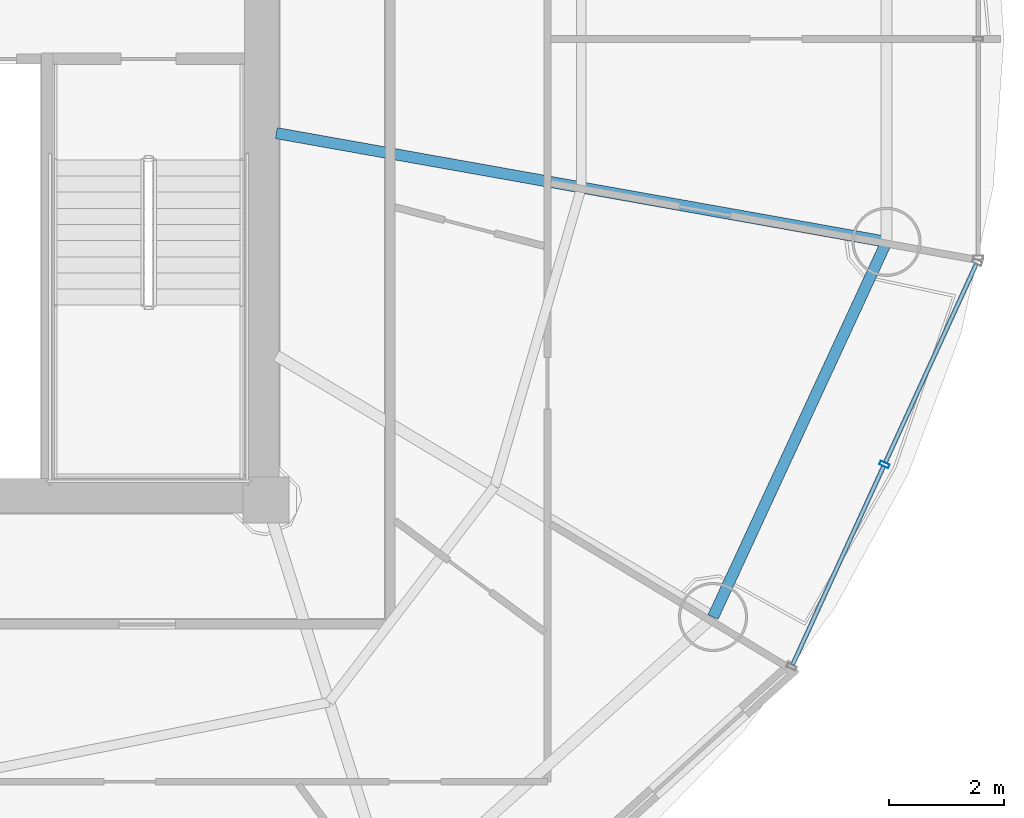
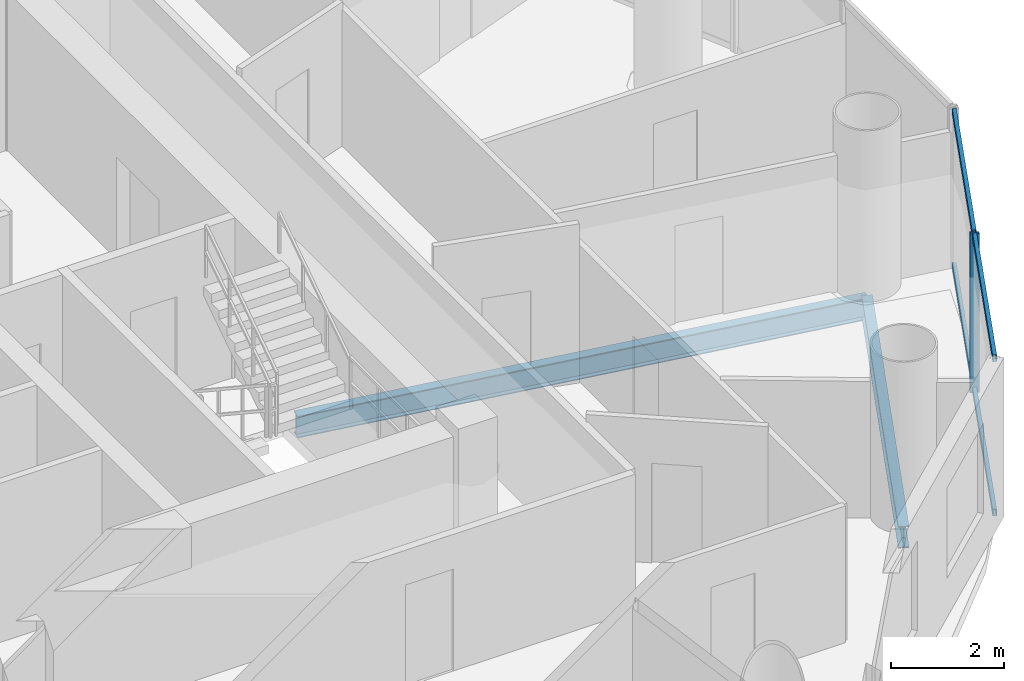
# One storey, part 12 of 26: 5 members, 2 beams, 1 element without a shape of its own.
"""IFC4 building model written with IfcOpenShell, lengths in metres."""

from ifc_helpers import new_model, si_unit, direction, frame, origin, origin_2d, place, context, subcontext, project, spatial, hollow_rectangle, i_section, extrude, source, transform, mapped, material, material_profile, profile_set, type_object, element, aggregate, save


model = new_model("IFC4")

# Units and contexts
model_context = context("Model", 3, precision=1e-05, world=origin(), true_north=direction((-0.2419218956, 0.970295726276)))
body_context = subcontext(model_context, "Body", "Model", "MODEL_VIEW")
ifc_project = project(units=[si_unit("LENGTHUNIT", "METRE"), si_unit("AREAUNIT", "SQUARE_METRE"), si_unit("VOLUMEUNIT", "CUBIC_METRE"), si_unit("PLANEANGLEUNIT", "RADIAN"), si_unit("MASSUNIT", "GRAM", prefix="KILO")], contexts=[model_context])

# Site, building, storey
site_placement = place(None, origin())
site = spatial("IfcSite", under=ifc_project, at=site_placement, CompositionType="ELEMENT")
building_placement = place(site_placement, origin())
building = spatial("IfcBuilding", under=site, at=building_placement, Name="Cobrevalo Terracotta Tower", CompositionType="ELEMENT")
storey_placement = place(building_placement, frame((0.0, 0.0, 228.199951171875)))
storey = spatial("IfcBuildingStorey", under=building, at=storey_placement, Name="L60", CompositionType="ELEMENT", Elevation=228.199951171875)

# Beams
ifc_material_1 = material(Name="Steel S355", Category="steel")
ifc_material_profile_1 = material_profile(ifc_material_1, i_section(OverallWidth=0.194091796875, OverallDepth=0.468994140625, WebThickness=0.011474609375, FlangeThickness=0.0205078125, at=origin_2d()), Name="W 460x106")
ifc_profile_set_1 = profile_set([ifc_material_profile_1], Name="Steel S355")
beam_type_1 = type_object("IfcBeamType", Name="Structural Beam W 460x106 (Steel S355)", PredefinedType="BEAM", material=ifc_profile_set_1)
beam_1_placement = place(storey_placement, frame((57.762939453125, 23.278564453125, -0.49951171875), z_axis=(-0.984493198547, 0.175422752274, 0.0), x_axis=(-0.175422752274, -0.984493198547, 0.0)))
element("IfcBeam", 1, at=beam_1_placement, inside=storey, type_object=beam_type_1, Name="L60 radial floor girder 16", PredefinedType="BEAM", context=body_context, shape_type="SweptSolid", body=[
    extrude(i_section(OverallWidth=0.194091796875, OverallDepth=0.468994140625, WebThickness=0.011474609375, FlangeThickness=0.0205078125, at=origin_2d()), origin(), (0.0, 0.0, 1.0), 10.749755859375),
])
ifc_material_profile_2 = material_profile(ifc_material_1, i_section(OverallWidth=0.194091796875, OverallDepth=0.468994140625, WebThickness=0.011474609375, FlangeThickness=0.0205078125, at=origin_2d()), Name="W 460x106")
ifc_profile_set_2 = profile_set([ifc_material_profile_2], Name="Steel S355")
beam_type_2 = type_object("IfcBeamType", Name="Structural Spandrel W 460x106 (Steel S355)", PredefinedType="SPANDREL", material=ifc_profile_set_2)
beam_2_placement = place(storey_placement, frame((54.754150390625, 16.77197265625, -0.49951171875), z_axis=(0.419718939129, 0.90765412583, 0.0), x_axis=(-0.90765412583, 0.419718939129, 0.0)))
element("IfcBeam", 2, at=beam_2_placement, inside=storey, type_object=beam_type_2, Name="L60 perimeter ring spandrel 15", PredefinedType="SPANDREL", context=body_context, shape_type="SweptSolid", body=[
    extrude(i_section(OverallWidth=0.194091796875, OverallDepth=0.468994140625, WebThickness=0.011474609375, FlangeThickness=0.0205078125, at=origin_2d()), origin(), (0.0, 0.0, 1.0), 7.168701171875),
])

# Curtain wall, members
ifc_material_2 = material(Name="Anodized aluminium", Category="aluminium")
curtain_wall_type = type_object("IfcCurtainWallType", Name="Mid-tower high-wind unitised curtain wall CW-U2", PredefinedType="NOTDEFINED", material=ifc_material_2)
curtain_wall_placement = place(storey_placement, origin())
curtain_wall = element("IfcCurtainWall", 3, at=curtain_wall_placement, inside=storey, type_object=curtain_wall_type, Name="L60 curtain wall CW-L60-S15", PredefinedType="NOTDEFINED")
ifc_material_profile_3 = material_profile(ifc_material_2, hollow_rectangle(XDim=0.074951171875, YDim=0.14990234375, WallThickness=0.00439453125, at=origin_2d()), Name="CWT 75x150")
ifc_profile_set_3 = profile_set([ifc_material_profile_3], Name="Anodized aluminium")
member_type_1 = type_object("IfcMemberType", Name="Tower unitised aluminium transom 75x150", PredefinedType="USERDEFINED", material=ifc_profile_set_3)
shared_shape_1 = source(origin(), body_context, "Body", "SweptSolid", [
    extrude(hollow_rectangle(XDim=0.074951171875, YDim=0.14990234375, WallThickness=0.00439453125, at=origin_2d()), origin(), (0.0, 0.0, 1.0), 3.780029296875),
])
member_1_placement = place(storey_placement, frame((56.134521484375, 15.944580078125, 0.050048828125), z_axis=(0.416705859352, 0.909041377926, 0.0), x_axis=(-0.909041377926, 0.416705859352, 0.0)))
member_1 = element("IfcMember", 4, at=member_1_placement, type_object=member_type_1, Name="CW-L60-S15 transom B01-T1", ObjectType="TRANSOM", PredefinedType="USERDEFINED", context=body_context, shape_type="MappedRepresentation", body=[
    mapped(shared_shape_1, transform((0.0, 0.0, 0.0), scale=1.0)),
])
member_2_placement = place(storey_placement, frame((56.134521484375, 15.944580078125, 3.385009765625), z_axis=(0.416705859352, 0.909041377926, 0.0), x_axis=(-0.909041377926, 0.416705859352, 0.0)))
member_2 = element("IfcMember", 5, at=member_2_placement, type_object=member_type_1, Name="CW-L60-S15 transom B01-T2", ObjectType="TRANSOM", PredefinedType="USERDEFINED", context=body_context, shape_type="MappedRepresentation", body=[
    mapped(shared_shape_1, transform((0.0, 0.0, 0.0), scale=1.0)),
])
member_3_placement = place(storey_placement, frame((57.7431640625, 19.45361328125, 0.050048828125), z_axis=(0.416705859352, 0.909041377926, 0.0), x_axis=(-0.909041377926, 0.416705859352, 0.0)))
member_3 = element("IfcMember", 6, at=member_3_placement, type_object=member_type_1, Name="CW-L60-S15 transom B02-T1", ObjectType="TRANSOM", PredefinedType="USERDEFINED", context=body_context, shape_type="MappedRepresentation", body=[
    mapped(shared_shape_1, transform((0.0, 0.0, 0.0), scale=1.0)),
])
member_4_placement = place(storey_placement, frame((57.7431640625, 19.45361328125, 3.385009765625), z_axis=(0.416705859352, 0.909041377926, 0.0), x_axis=(-0.909041377926, 0.416705859352, 0.0)))
member_4 = element("IfcMember", 7, at=member_4_placement, type_object=member_type_1, Name="CW-L60-S15 transom B02-T2", ObjectType="TRANSOM", PredefinedType="USERDEFINED", context=body_context, shape_type="MappedRepresentation", body=[
    mapped(shared_shape_1, transform((0.0, 0.0, 0.0), scale=1.0)),
])
ifc_material_profile_4 = material_profile(ifc_material_2, hollow_rectangle(XDim=0.070068359375, YDim=0.169921875, WallThickness=0.00439453125, at=origin_2d()), Name="CWM 70x170")
ifc_profile_set_4 = profile_set([ifc_material_profile_4], Name="Anodized aluminium")
member_type_2 = type_object("IfcMemberType", Name="Upper tower unitised mullion 70x170", PredefinedType="MULLION", material=ifc_profile_set_4)
shared_shape_2 = source(origin(), body_context, "Body", "SweptSolid", [
    extrude(hollow_rectangle(XDim=0.070068359375, YDim=0.169921875, WallThickness=0.00439453125, at=origin_2d()), origin(), (0.0, 0.0, 1.0), 3.43505859375),
])
member_5_placement = place(storey_placement, frame((57.726318359375, 19.417236328125, 0.0), z_axis=(0.0, 0.0, 1.0), x_axis=(0.41672507912, 0.909032567311, 0.0)))
member_5 = element("IfcMember", 8, at=member_5_placement, type_object=member_type_2, Name="CW-L60-S15 vertical mullion 02", PredefinedType="MULLION", context=body_context, shape_type="MappedRepresentation", body=[
    mapped(shared_shape_2, transform((0.0, 0.0, 0.0), scale=1.0)),
])
aggregate(curtain_wall, [member_5, member_1, member_2, member_3, member_4])

save(model, "model.ifc")
